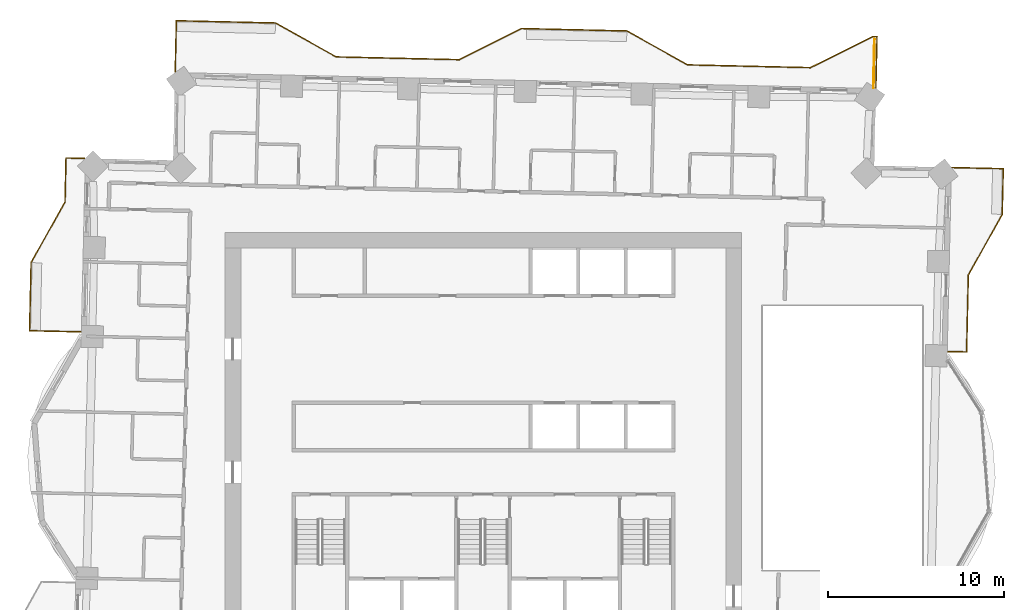
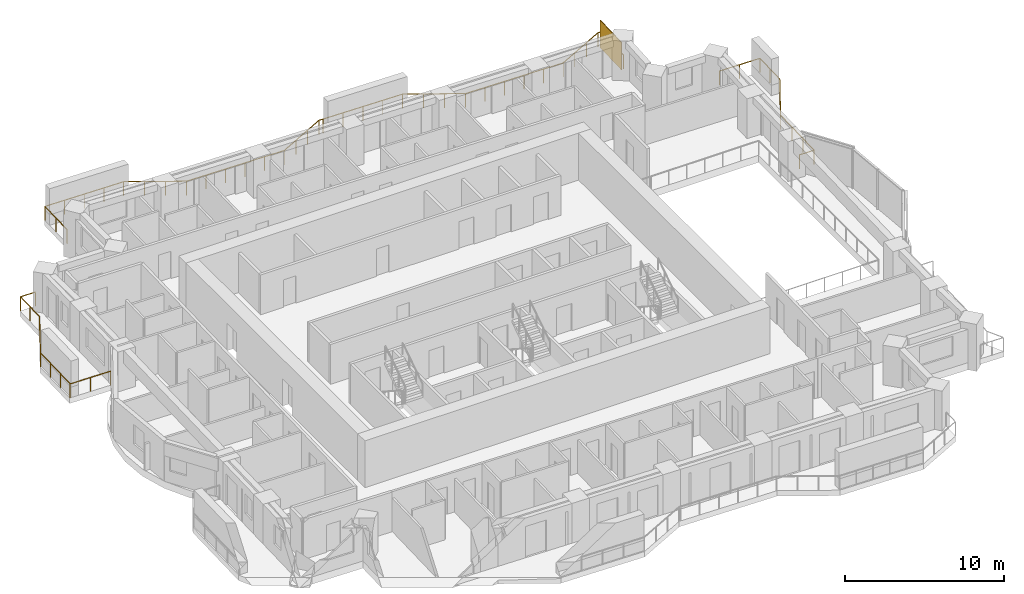
# One storey, part 14 of 14: 3 railings, 1 shading device.
"""IFC4 building model written with IfcOpenShell, lengths in metres."""

from ifc_helpers import new_model, si_unit, direction, frame, origin, origin_2d, place, context, subcontext, project, spatial, rectangle, extrude, material, type_object, element, save


model = new_model("IFC4")

# Units and contexts
model_context = context("Model", 3, precision=1e-05, world=origin(), true_north=direction((0.0, 1.0)))
body_context = subcontext(model_context, "Body", "Model", "MODEL_VIEW")
ifc_project = project(units=[si_unit("LENGTHUNIT", "METRE"), si_unit("AREAUNIT", "SQUARE_METRE"), si_unit("VOLUMEUNIT", "CUBIC_METRE"), si_unit("PLANEANGLEUNIT", "RADIAN"), si_unit("MASSUNIT", "GRAM", prefix="KILO")], contexts=[model_context])

# Site, building, storey
site_placement = place(None, origin())
site = spatial("IfcSite", under=ifc_project, at=site_placement, CompositionType="ELEMENT")
building_placement = place(site_placement, origin())
building = spatial("IfcBuilding", under=site, at=building_placement, Name="Mangrove Gate Tower", CompositionType="ELEMENT")
storey_placement = place(building_placement, frame((0.0, 0.0, 167.10009765625)))
storey = spatial("IfcBuildingStorey", under=building, at=storey_placement, Name="L42", CompositionType="ELEMENT", Elevation=167.10009765625)

# Railings
ifc_material_1 = material(Name="Stainless steel grade 316 with laminated glass infill", Category="steel")
railing_type = type_object("IfcRailingType", Name="Balcony guard 1100", PredefinedType="GUARDRAIL", material=ifc_material_1)
railing_1_placement = place(storey_placement, frame((26.43505859375, 4.9130859375, 0.0)))
element("IfcRailing", 1, at=railing_1_placement, inside=storey, type_object=railing_type, Name="GUARD L42 E2", PredefinedType="GUARDRAIL", context=body_context, shape_type="SweptSolid", body=[
    extrude(rectangle(XDim=0.048095703125, YDim=0.048095703125, at=origin_2d()), frame((0.0, 0.0, 1.076171875), z_axis=(0.999760733616, -0.021874083301, 0.0), x_axis=(0.021874083301, 0.999760733616, 0.0)), (0.0, 0.0, 1.0), 1.060302734375),
    extrude(rectangle(XDim=0.048095703125, YDim=0.048095703125, at=origin_2d()), frame((1.06005859375, -0.023193359375, 1.076171875), z_axis=(0.022604762968, 0.9997444797, 0.0), x_axis=(-0.9997444797, 0.022604762968, 0.0)), (0.0, 0.0, 1.0), 4.374267578125),
    extrude(rectangle(XDim=0.048095703125, YDim=0.048095703125, at=origin_2d()), frame((1.158935546875, 4.349853515625, 1.076171875), z_axis=(0.48726008209, 0.87325689943, 0.0), x_axis=(-0.87325689943, 0.48726008209, 0.0)), (0.0, 0.0, 1.0), 3.958740234375),
    extrude(rectangle(XDim=0.048095703125, YDim=0.048095703125, at=origin_2d()), frame((3.087890625, 7.806884765625, 1.076171875), z_axis=(0.022717140625, 0.999741932461, 0.0), x_axis=(-0.999741932461, 0.022717140625, 0.0)), (0.0, 0.0, 1.0), 2.600830078125),
    extrude(rectangle(XDim=0.048095703125, YDim=0.048095703125, at=origin_2d()), frame((3.14697265625, 10.406982421875, 1.076171875), z_axis=(-0.999750894749, 0.022319239446, 0.0), x_axis=(-0.022319239446, -0.999750894749, 0.0)), (0.0, 0.0, 1.0), 2.90966796875),
    extrude(rectangle(XDim=0.0419921875, YDim=0.0419921875, at=origin_2d()), origin(), (0.0, 0.0, 1.0), 1.052001953125),
    extrude(rectangle(XDim=0.0419921875, YDim=0.0419921875, at=origin_2d()), frame((1.06005859375, -0.023193359375, 0.0)), (0.0, 0.0, 1.0), 1.052001953125),
    extrude(rectangle(XDim=0.0419921875, YDim=0.0419921875, at=origin_2d()), frame((1.093017578125, 1.4345703125, 0.0)), (0.0, 0.0, 1.0), 1.052001953125),
    extrude(rectangle(XDim=0.0419921875, YDim=0.0419921875, at=origin_2d()), frame((1.1259765625, 2.89208984375, 0.0)), (0.0, 0.0, 1.0), 1.052001953125),
    extrude(rectangle(XDim=0.0419921875, YDim=0.0419921875, at=origin_2d()), frame((1.158935546875, 4.349853515625, 0.0)), (0.0, 0.0, 1.0), 1.052001953125),
    extrude(rectangle(XDim=0.0419921875, YDim=0.0419921875, at=origin_2d()), frame((1.802001953125, 5.502197265625, 0.0)), (0.0, 0.0, 1.0), 1.052001953125),
    extrude(rectangle(XDim=0.0419921875, YDim=0.0419921875, at=origin_2d()), frame((2.44482421875, 6.654541015625, 0.0)), (0.0, 0.0, 1.0), 1.052001953125),
    extrude(rectangle(XDim=0.0419921875, YDim=0.0419921875, at=origin_2d()), frame((3.087890625, 7.806884765625, 0.0)), (0.0, 0.0, 1.0), 1.052001953125),
    extrude(rectangle(XDim=0.0419921875, YDim=0.0419921875, at=origin_2d()), frame((3.117431640625, 9.10693359375, 0.0)), (0.0, 0.0, 1.0), 1.052001953125),
    extrude(rectangle(XDim=0.0419921875, YDim=0.0419921875, at=origin_2d()), frame((3.14697265625, 10.406982421875, 0.0)), (0.0, 0.0, 1.0), 1.052001953125),
    extrude(rectangle(XDim=0.0419921875, YDim=0.0419921875, at=origin_2d()), frame((1.6923828125, 10.439453125, 0.0)), (0.0, 0.0, 1.0), 1.052001953125),
    extrude(rectangle(XDim=0.0419921875, YDim=0.0419921875, at=origin_2d()), frame((0.238037109375, 10.471923828125, 0.0)), (0.0, 0.0, 1.0), 1.052001953125),
])
railing_2_placement = place(storey_placement, frame((22.3349609375, 19.925048828125, 0.0)))
element("IfcRailing", 2, at=railing_2_placement, inside=storey, type_object=railing_type, Name="GUARD L42 N1", PredefinedType="GUARDRAIL", context=body_context, shape_type="SweptSolid", body=[
    extrude(rectangle(XDim=0.048095703125, YDim=0.048095703125, at=origin_2d()), frame((0.0, 0.0, 1.076171875), z_axis=(0.022654696127, 0.999743349437, 0.0), x_axis=(-0.999743349437, 0.022654696127, 0.0)), (0.0, 0.0, 1.0), 2.90966796875),
    extrude(rectangle(XDim=0.048095703125, YDim=0.048095703125, at=origin_2d()), frame((0.06591796875, 2.908935546875, 1.076171875), z_axis=(-0.999676754587, 0.025424129059, 0.0), x_axis=(-0.025424129059, -0.999676754587, 0.0)), (0.0, 0.0, 1.0), 0.239990234375),
    extrude(rectangle(XDim=0.048095703125, YDim=0.048095703125, at=origin_2d()), frame((-0.174072265625, 2.9150390625, 1.076171875), z_axis=(-0.894464192593, -0.447139584658, 0.0), x_axis=(0.447139584658, -0.894464192593, 0.0)), (0.0, 0.0, 1.0), 3.95849609375),
    extrude(rectangle(XDim=0.048095703125, YDim=0.048095703125, at=origin_2d()), frame((-3.71484375, 1.14501953125, 1.076171875), z_axis=(-0.999742195543, 0.022705559911, 0.0), x_axis=(-0.022705559911, -0.999742195543, 0.0)), (0.0, 0.0, 1.0), 6.999755859375),
    extrude(rectangle(XDim=0.048095703125, YDim=0.048095703125, at=origin_2d()), frame((-10.712890625, 1.303955078125, 1.076171875), z_axis=(-0.873420366986, 0.486967003537, 0.0), x_axis=(-0.486967003537, -0.873420366986, 0.0)), (0.0, 0.0, 1.0), 3.959228515625),
    extrude(rectangle(XDim=0.048095703125, YDim=0.048095703125, at=origin_2d()), frame((-14.1708984375, 3.23193359375, 1.076171875), z_axis=(-0.999739330573, 0.02283135795, 0.0), x_axis=(-0.02283135795, -0.999739330573, 0.0)), (0.0, 0.0, 1.0), 5.699462890625),
    extrude(rectangle(XDim=0.048095703125, YDim=0.048095703125, at=origin_2d()), frame((-19.868896484375, 3.362060546875, 1.076171875), z_axis=(-0.999740574134, 0.022776839769, 0.0), x_axis=(-0.022776839769, -0.999740574134, 0.0)), (0.0, 0.0, 1.0), 0.300048828125),
    extrude(rectangle(XDim=0.048095703125, YDim=0.048095703125, at=origin_2d()), frame((-20.1689453125, 3.368896484375, 1.076171875), z_axis=(-0.894377854182, -0.447312255532, 0.0), x_axis=(0.447312255532, -0.894377854182, 0.0)), (0.0, 0.0, 1.0), 3.959228515625),
    extrude(rectangle(XDim=0.048095703125, YDim=0.048095703125, at=origin_2d()), frame((-23.7099609375, 1.597900390625, 1.076171875), z_axis=(-0.999742195543, 0.022705559911, 0.0), x_axis=(-0.022705559911, -0.999742195543, 0.0)), (0.0, 0.0, 1.0), 6.999755859375),
    extrude(rectangle(XDim=0.048095703125, YDim=0.048095703125, at=origin_2d()), frame((-30.7080078125, 1.7568359375, 1.076171875), z_axis=(-0.873230657876, 0.487307108654, 0.0), x_axis=(-0.487307108654, -0.873230657876, 0.0)), (0.0, 0.0, 1.0), 3.958984375),
    extrude(rectangle(XDim=0.048095703125, YDim=0.048095703125, at=origin_2d()), frame((-34.1650390625, 3.68603515625, 1.076171875), z_axis=(-0.999742750925, 0.022681092847, 0.0), x_axis=(-0.022681092847, -0.999742750925, 0.0)), (0.0, 0.0, 1.0), 5.640380859375),
    extrude(rectangle(XDim=0.048095703125, YDim=0.048095703125, at=origin_2d()), frame((-39.803955078125, 3.81396484375, 1.076171875), z_axis=(-0.022654696127, -0.999743349437, 0.0), x_axis=(0.999743349437, -0.022654696127, 0.0)), (0.0, 0.0, 1.0), 2.90966796875),
    extrude(rectangle(XDim=0.0419921875, YDim=0.0419921875, at=origin_2d()), origin(), (0.0, 0.0, 1.0), 1.052001953125),
    extrude(rectangle(XDim=0.0419921875, YDim=0.0419921875, at=origin_2d()), frame((0.032958984375, 1.45458984375, 0.0)), (0.0, 0.0, 1.0), 1.052001953125),
    extrude(rectangle(XDim=0.0419921875, YDim=0.0419921875, at=origin_2d()), frame((0.06591796875, 2.908935546875, 0.0)), (0.0, 0.0, 1.0), 1.052001953125),
    extrude(rectangle(XDim=0.0419921875, YDim=0.0419921875, at=origin_2d()), frame((-0.174072265625, 2.9150390625, 0.0)), (0.0, 0.0, 1.0), 1.052001953125),
    extrude(rectangle(XDim=0.0419921875, YDim=0.0419921875, at=origin_2d()), frame((-1.354248046875, 2.324951171875, 0.0)), (0.0, 0.0, 1.0), 1.052001953125),
    extrude(rectangle(XDim=0.0419921875, YDim=0.0419921875, at=origin_2d()), frame((-2.53466796875, 1.735107421875, 0.0)), (0.0, 0.0, 1.0), 1.052001953125),
    extrude(rectangle(XDim=0.0419921875, YDim=0.0419921875, at=origin_2d()), frame((-3.71484375, 1.14501953125, 0.0)), (0.0, 0.0, 1.0), 1.052001953125),
    extrude(rectangle(XDim=0.0419921875, YDim=0.0419921875, at=origin_2d()), frame((-5.114501953125, 1.1767578125, 0.0)), (0.0, 0.0, 1.0), 1.052001953125),
    extrude(rectangle(XDim=0.0419921875, YDim=0.0419921875, at=origin_2d()), frame((-6.51416015625, 1.20849609375, 0.0)), (0.0, 0.0, 1.0), 1.052001953125),
    extrude(rectangle(XDim=0.0419921875, YDim=0.0419921875, at=origin_2d()), frame((-7.91357421875, 1.240478515625, 0.0)), (0.0, 0.0, 1.0), 1.052001953125),
    extrude(rectangle(XDim=0.0419921875, YDim=0.0419921875, at=origin_2d()), frame((-9.313232421875, 1.272216796875, 0.0)), (0.0, 0.0, 1.0), 1.052001953125),
    extrude(rectangle(XDim=0.0419921875, YDim=0.0419921875, at=origin_2d()), frame((-10.712890625, 1.303955078125, 0.0)), (0.0, 0.0, 1.0), 1.052001953125),
    extrude(rectangle(XDim=0.0419921875, YDim=0.0419921875, at=origin_2d()), frame((-11.865478515625, 1.946533203125, 0.0)), (0.0, 0.0, 1.0), 1.052001953125),
    extrude(rectangle(XDim=0.0419921875, YDim=0.0419921875, at=origin_2d()), frame((-13.018310546875, 2.58935546875, 0.0)), (0.0, 0.0, 1.0), 1.052001953125),
    extrude(rectangle(XDim=0.0419921875, YDim=0.0419921875, at=origin_2d()), frame((-14.1708984375, 3.23193359375, 0.0)), (0.0, 0.0, 1.0), 1.052001953125),
    extrude(rectangle(XDim=0.0419921875, YDim=0.0419921875, at=origin_2d()), frame((-15.595458984375, 3.264404296875, 0.0)), (0.0, 0.0, 1.0), 1.052001953125),
    extrude(rectangle(XDim=0.0419921875, YDim=0.0419921875, at=origin_2d()), frame((-17.02001953125, 3.296875, 0.0)), (0.0, 0.0, 1.0), 1.052001953125),
    extrude(rectangle(XDim=0.0419921875, YDim=0.0419921875, at=origin_2d()), frame((-18.4443359375, 3.32958984375, 0.0)), (0.0, 0.0, 1.0), 1.052001953125),
    extrude(rectangle(XDim=0.0419921875, YDim=0.0419921875, at=origin_2d()), frame((-19.868896484375, 3.362060546875, 0.0)), (0.0, 0.0, 1.0), 1.052001953125),
    extrude(rectangle(XDim=0.0419921875, YDim=0.0419921875, at=origin_2d()), frame((-20.1689453125, 3.368896484375, 0.0)), (0.0, 0.0, 1.0), 1.052001953125),
    extrude(rectangle(XDim=0.0419921875, YDim=0.0419921875, at=origin_2d()), frame((-21.349365234375, 2.778564453125, 0.0)), (0.0, 0.0, 1.0), 1.052001953125),
    extrude(rectangle(XDim=0.0419921875, YDim=0.0419921875, at=origin_2d()), frame((-22.529541015625, 2.188232421875, 0.0)), (0.0, 0.0, 1.0), 1.052001953125),
    extrude(rectangle(XDim=0.0419921875, YDim=0.0419921875, at=origin_2d()), frame((-23.7099609375, 1.597900390625, 0.0)), (0.0, 0.0, 1.0), 1.052001953125),
    extrude(rectangle(XDim=0.0419921875, YDim=0.0419921875, at=origin_2d()), frame((-25.109619140625, 1.629638671875, 0.0)), (0.0, 0.0, 1.0), 1.052001953125),
    extrude(rectangle(XDim=0.0419921875, YDim=0.0419921875, at=origin_2d()), frame((-26.50927734375, 1.661376953125, 0.0)), (0.0, 0.0, 1.0), 1.052001953125),
    extrude(rectangle(XDim=0.0419921875, YDim=0.0419921875, at=origin_2d()), frame((-27.90869140625, 1.693359375, 0.0)), (0.0, 0.0, 1.0), 1.052001953125),
    extrude(rectangle(XDim=0.0419921875, YDim=0.0419921875, at=origin_2d()), frame((-29.308349609375, 1.72509765625, 0.0)), (0.0, 0.0, 1.0), 1.052001953125),
    extrude(rectangle(XDim=0.0419921875, YDim=0.0419921875, at=origin_2d()), frame((-30.7080078125, 1.7568359375, 0.0)), (0.0, 0.0, 1.0), 1.052001953125),
    extrude(rectangle(XDim=0.0419921875, YDim=0.0419921875, at=origin_2d()), frame((-31.8603515625, 2.39990234375, 0.0)), (0.0, 0.0, 1.0), 1.052001953125),
    extrude(rectangle(XDim=0.0419921875, YDim=0.0419921875, at=origin_2d()), frame((-33.0126953125, 3.04296875, 0.0)), (0.0, 0.0, 1.0), 1.052001953125),
    extrude(rectangle(XDim=0.0419921875, YDim=0.0419921875, at=origin_2d()), frame((-34.1650390625, 3.68603515625, 0.0)), (0.0, 0.0, 1.0), 1.052001953125),
    extrude(rectangle(XDim=0.0419921875, YDim=0.0419921875, at=origin_2d()), frame((-35.57470703125, 3.718017578125, 0.0)), (0.0, 0.0, 1.0), 1.052001953125),
    extrude(rectangle(XDim=0.0419921875, YDim=0.0419921875, at=origin_2d()), frame((-36.984375, 3.75, 0.0)), (0.0, 0.0, 1.0), 1.052001953125),
    extrude(rectangle(XDim=0.0419921875, YDim=0.0419921875, at=origin_2d()), frame((-38.394287109375, 3.781982421875, 0.0)), (0.0, 0.0, 1.0), 1.052001953125),
    extrude(rectangle(XDim=0.0419921875, YDim=0.0419921875, at=origin_2d()), frame((-39.803955078125, 3.81396484375, 0.0)), (0.0, 0.0, 1.0), 1.052001953125),
    extrude(rectangle(XDim=0.0419921875, YDim=0.0419921875, at=origin_2d()), frame((-39.8369140625, 2.359375, 0.0)), (0.0, 0.0, 1.0), 1.052001953125),
    extrude(rectangle(XDim=0.0419921875, YDim=0.0419921875, at=origin_2d()), frame((-39.869873046875, 0.905029296875, 0.0)), (0.0, 0.0, 1.0), 1.052001953125),
])
railing_3_placement = place(storey_placement, frame((-22.68798828125, 15.906005859375, 0.0)))
element("IfcRailing", 3, at=railing_3_placement, inside=storey, type_object=railing_type, Name="GUARD L42 W1", PredefinedType="GUARDRAIL", context=body_context, shape_type="SweptSolid", body=[
    extrude(rectangle(XDim=0.048095703125, YDim=0.048095703125, at=origin_2d()), frame((0.0, 0.0, 1.076171875), z_axis=(-0.999745389313, 0.022564497502, 0.0), x_axis=(-0.022564497502, -0.999745389313, 0.0)), (0.0, 0.0, 1.0), 1.060302734375),
    extrude(rectangle(XDim=0.048095703125, YDim=0.048095703125, at=origin_2d()), frame((-1.06005859375, 0.02392578125, 1.076171875), z_axis=(-0.022357691225, -0.99975003558, 0.0), x_axis=(0.99975003558, -0.022357691225, 0.0)), (0.0, 0.0, 1.0), 2.500732421875),
    extrude(rectangle(XDim=0.048095703125, YDim=0.048095703125, at=origin_2d()), frame((-1.115966796875, -2.47607421875, 1.076171875), z_axis=(-0.48726008209, -0.87325689943, 0.0), x_axis=(0.87325689943, -0.48726008209, 0.0)), (0.0, 0.0, 1.0), 3.958740234375),
    extrude(rectangle(XDim=0.048095703125, YDim=0.048095703125, at=origin_2d()), frame((-3.044921875, -5.93310546875, 1.076171875), z_axis=(-0.022745736617, -0.999741282265, 0.0), x_axis=(0.999741282265, -0.022745736617, 0.0)), (0.0, 0.0, 1.0), 3.874755859375),
    extrude(rectangle(XDim=0.048095703125, YDim=0.048095703125, at=origin_2d()), frame((-3.133056640625, -9.806884765625, 1.076171875), z_axis=(0.999749018963, -0.022403104328, 0.0), x_axis=(0.022403104328, 0.999749018963, 0.0)), (0.0, 0.0, 1.0), 2.90966796875),
    extrude(rectangle(XDim=0.0419921875, YDim=0.0419921875, at=origin_2d()), origin(), (0.0, 0.0, 1.0), 1.052001953125),
    extrude(rectangle(XDim=0.0419921875, YDim=0.0419921875, at=origin_2d()), frame((-1.06005859375, 0.02392578125, 0.0)), (0.0, 0.0, 1.0), 1.052001953125),
    extrude(rectangle(XDim=0.0419921875, YDim=0.0419921875, at=origin_2d()), frame((-1.087890625, -1.22607421875, 0.0)), (0.0, 0.0, 1.0), 1.052001953125),
    extrude(rectangle(XDim=0.0419921875, YDim=0.0419921875, at=origin_2d()), frame((-1.115966796875, -2.47607421875, 0.0)), (0.0, 0.0, 1.0), 1.052001953125),
    extrude(rectangle(XDim=0.0419921875, YDim=0.0419921875, at=origin_2d()), frame((-1.759033203125, -3.62841796875, 0.0)), (0.0, 0.0, 1.0), 1.052001953125),
    extrude(rectangle(XDim=0.0419921875, YDim=0.0419921875, at=origin_2d()), frame((-2.40185546875, -4.78076171875, 0.0)), (0.0, 0.0, 1.0), 1.052001953125),
    extrude(rectangle(XDim=0.0419921875, YDim=0.0419921875, at=origin_2d()), frame((-3.044921875, -5.93310546875, 0.0)), (0.0, 0.0, 1.0), 1.052001953125),
    extrude(rectangle(XDim=0.0419921875, YDim=0.0419921875, at=origin_2d()), frame((-3.07421875, -7.224365234375, 0.0)), (0.0, 0.0, 1.0), 1.052001953125),
    extrude(rectangle(XDim=0.0419921875, YDim=0.0419921875, at=origin_2d()), frame((-3.103759765625, -8.515625, 0.0)), (0.0, 0.0, 1.0), 1.052001953125),
    extrude(rectangle(XDim=0.0419921875, YDim=0.0419921875, at=origin_2d()), frame((-3.133056640625, -9.806884765625, 0.0)), (0.0, 0.0, 1.0), 1.052001953125),
    extrude(rectangle(XDim=0.0419921875, YDim=0.0419921875, at=origin_2d()), frame((-1.6787109375, -9.83935546875, 0.0)), (0.0, 0.0, 1.0), 1.052001953125),
    extrude(rectangle(XDim=0.0419921875, YDim=0.0419921875, at=origin_2d()), frame((-0.22412109375, -9.8720703125, 0.0)), (0.0, 0.0, 1.0), 1.052001953125),
])

# Shading device
ifc_material_2 = material(Name="Timber slat screen in teak", Category="wood")
shading_device_type = type_object("IfcShadingDeviceType", Name="Balcony screen 2100", PredefinedType="USERDEFINED", material=ifc_material_2)
shading_device_placement = place(storey_placement, frame((22.22607421875, 21.302978515625, -0.000244140625), z_axis=(0.0, 0.0, 1.0), x_axis=(0.022739679942, 0.999741420046, 0.0)))
element("IfcShadingDevice", 4, at=shading_device_placement, inside=storey, type_object=shading_device_type, Name="SCREEN L42 N0", ObjectType="SCREEN", PredefinedType="USERDEFINED", context=body_context, shape_type="SweptSolid", body=[
    extrude(rectangle(XDim=2.7900390625, YDim=0.050048828125, at=origin_2d()), origin(), (0.0, 0.0, 1.0), 2.10009765625),
])

save(model, "model.ifc")
